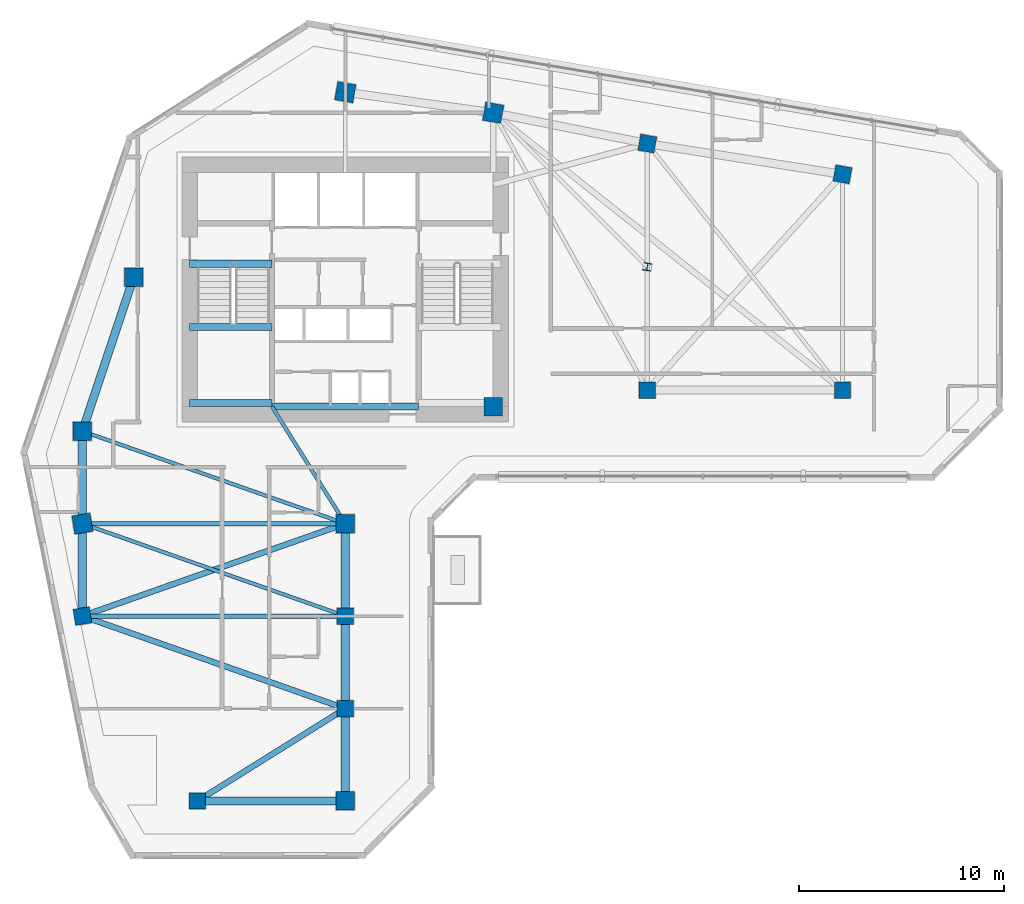
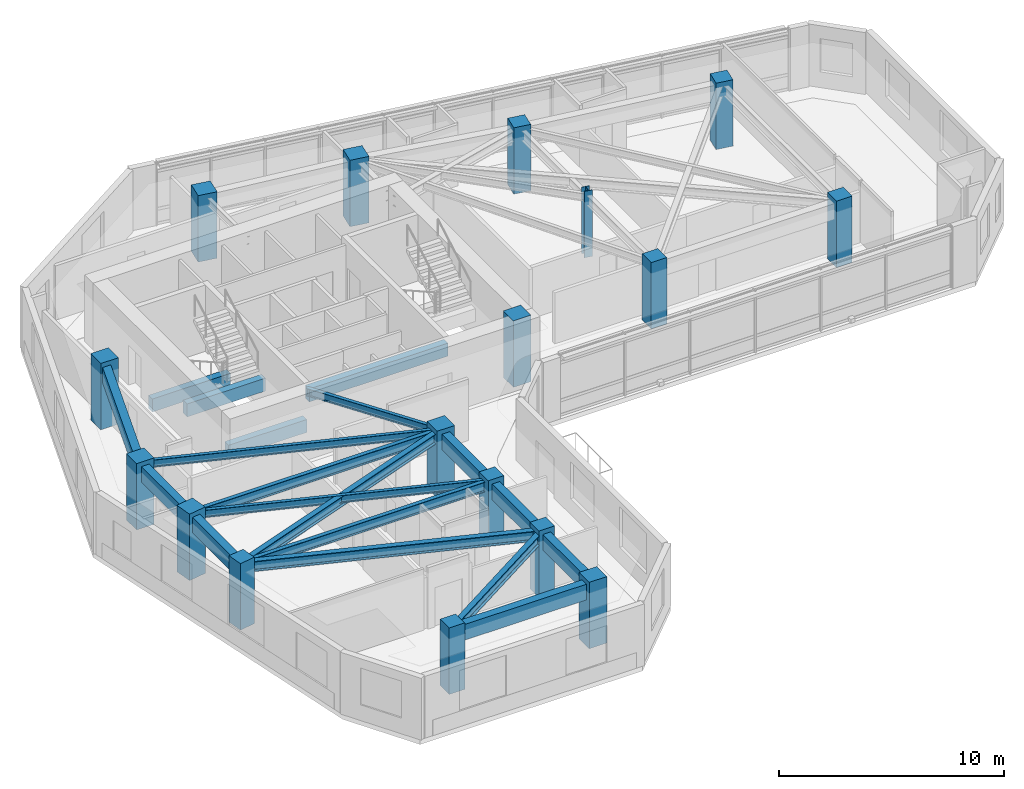
# One storey, part 1 of 10: 19 beams, 17 columns.
"""IFC4 building model written with IfcOpenShell, lengths in metres."""

import ifcopenshell
import ifcopenshell.guid

model = None  # the IFC model being written
_history = None  # IfcOwnerHistory: only IFC2X3 demands one
_inside = {}  # id of a spatial element -> (the spatial element, [elements in it])
_under = {}  # id of a project, library or spatial element -> (it, [spatial elements below it])
_declared = {}  # id of a project -> (the project, [libraries it declares])
_typed = {}  # id of a type object -> (the type object, [elements of that type])
_made_of = {}  # id of a material, layer set ... -> (it, [elements and type objects made of it])


def new_model(schema):
    """Start an empty IFC model of exactly this schema.

    Asked for "IFC4X3", IfcOpenShell would pick the latest addendum, in which some entities
    have other attributes; the version numbers below select the first issue.
    IFC2X3 requires an IfcOwnerHistory on every rooted entity: one is made here for all.
    """
    global model, _history
    if schema == "IFC4X3":
        model = ifcopenshell.file(schema_version=(4, 3, 0, 0))
    else:
        model = ifcopenshell.file(schema=schema)
    _inside.clear()
    _under.clear()
    _declared.clear()
    _typed.clear()
    _made_of.clear()
    _history = None
    if model.schema == "IFC2X3":
        org = make("IfcOrganization", Name="unknown")
        user = make(
            "IfcPersonAndOrganization",
            ThePerson=make("IfcPerson", FamilyName="unknown"),
            TheOrganization=org,
        )
        app = make(
            "IfcApplication",
            ApplicationDeveloper=org,
            Version="unknown",
            ApplicationFullName="unknown",
            ApplicationIdentifier="unknown",
        )
        _history = make(
            "IfcOwnerHistory",
            OwningUser=user,
            OwningApplication=app,
            ChangeAction="ADDED",
            CreationDate=0,
        )
    return model


def make(cls, **values):
    """One entity of the class cls with the attributes given. An attribute that is None is left unset."""
    return model.create_entity(
        cls, **{name: value for name, value in values.items() if value is not None}
    )


def rooted(cls, **values):
    """An entity with a GlobalId (a new one), such as an element, a storey or a relation."""
    return make(cls, GlobalId=ifcopenshell.guid.new(), OwnerHistory=_history, **values)


def si_unit(unit_type, name, prefix=None):
    """IfcSIUnit, for example si_unit("LENGTHUNIT", "METRE", prefix="MILLI")."""
    return make("IfcSIUnit", UnitType=unit_type, Prefix=prefix, Name=name)


def assignment(units):
    """IfcUnitAssignment: the units of a project."""
    return None if units is None else make("IfcUnitAssignment", Units=units)


def point(xyz):
    """IfcCartesianPoint."""
    return None if xyz is None else make("IfcCartesianPoint", Coordinates=xyz)


def direction(xyz):
    """IfcDirection."""
    return None if xyz is None else make("IfcDirection", DirectionRatios=xyz)


def frame(location, z_axis=None, x_axis=None):
    """IfcAxis2Placement3D, a coordinate frame: its origin and axes. An axis left out is left unset."""
    return make(
        "IfcAxis2Placement3D",
        Location=point(location),
        Axis=direction(z_axis),
        RefDirection=direction(x_axis),
    )


def frame_2d(location, x_axis=None):
    """IfcAxis2Placement2D, a coordinate frame in the plane: its origin and x axis."""
    return make(
        "IfcAxis2Placement2D", Location=point(location), RefDirection=direction(x_axis)
    )


def origin():
    """The frame at (0, 0, 0) with its axes left unset."""
    return frame((0.0, 0.0, 0.0))


def origin_2d():
    """The frame at (0, 0) in the plane with its x axis left unset."""
    return frame_2d((0.0, 0.0))


def place(relative_to, where):
    """IfcLocalPlacement: puts the frame where relative to a parent placement (None: the world)."""
    return make(
        "IfcLocalPlacement", PlacementRelTo=relative_to, RelativePlacement=where
    )


def context(
    kind, dimensions, precision=None, world=None, true_north=None, identifier=None
):
    """IfcGeometricRepresentationContext, for example the 3D "Model" context."""
    return make(
        "IfcGeometricRepresentationContext",
        ContextIdentifier=identifier,
        ContextType=kind,
        CoordinateSpaceDimension=dimensions,
        Precision=precision,
        WorldCoordinateSystem=world,
        TrueNorth=true_north,
    )


def subcontext(parent, identifier, kind, view, scale=None):
    """IfcGeometricRepresentationSubContext, for example "Body" below "Model"."""
    return make(
        "IfcGeometricRepresentationSubContext",
        ContextIdentifier=identifier,
        ContextType=kind,
        ParentContext=parent,
        TargetScale=scale,
        TargetView=view,
    )


def project(units=None, contexts=None):
    """IfcProject with its units and contexts."""
    return rooted(
        "IfcProject",
        Name="project",
        RepresentationContexts=contexts,
        UnitsInContext=assignment(units),
    )


def spatial(cls, under=None, at=None, **own):
    """A site, building, storey or space (cls), placed at a placement, below another one or the project."""
    s = rooted(cls, ObjectPlacement=at, **own)
    if under is not None:
        _under.setdefault(under.id(), (under, []))[1].append(s)
    return s


def profile(cls, at=None, kind="AREA", **sizes):
    """A parametric profile (cls). Its sizes go by their IFC names, for example OverallWidth=200.0."""
    return make(cls, ProfileType=kind, Position=at, **sizes)


def rectangle(**sizes):
    """IfcRectangleProfileDef."""
    return profile("IfcRectangleProfileDef", **sizes)


def i_section(**sizes):
    """IfcIShapeProfileDef."""
    return profile("IfcIShapeProfileDef", **sizes)


def extrude(swept, where, along, depth):
    """IfcExtrudedAreaSolid: the profile swept, set in the frame where, extruded along a direction by depth."""
    return make(
        "IfcExtrudedAreaSolid",
        SweptArea=swept,
        Position=where,
        ExtrudedDirection=direction(along),
        Depth=depth,
    )


def shape(context_of_items, identifier, shape_type, items):
    """IfcShapeRepresentation: the items that make up one representation, for example the "Body"."""
    return make(
        "IfcShapeRepresentation",
        ContextOfItems=context_of_items,
        RepresentationIdentifier=identifier,
        RepresentationType=shape_type,
        Items=items,
    )


def source(mapping_origin, context_of_items, identifier, shape_type, items):
    """IfcRepresentationMap: a shape defined once, which mapped items show again and again."""
    return make(
        "IfcRepresentationMap",
        MappingOrigin=mapping_origin,
        MappedRepresentation=shape(context_of_items, identifier, shape_type, items),
    )


def transform(
    local_origin,
    x_axis=None,
    y_axis=None,
    z_axis=None,
    scale=None,
    scale2=None,
    scale3=None,
    uniform=True,
):
    """IfcCartesianTransformationOperator3D, or its non-uniform kind. x_axis, y_axis, z_axis: its Axis1, 2, 3."""
    if uniform:
        return make(
            "IfcCartesianTransformationOperator3D",
            Axis1=direction(x_axis),
            Axis2=direction(y_axis),
            LocalOrigin=point(local_origin),
            Scale=scale,
            Axis3=direction(z_axis),
        )
    return make(
        "IfcCartesianTransformationOperator3DnonUniform",
        Axis1=direction(x_axis),
        Axis2=direction(y_axis),
        LocalOrigin=point(local_origin),
        Scale=scale,
        Axis3=direction(z_axis),
        Scale2=scale2,
        Scale3=scale3,
    )


def mapped(mapping_source, mapping_target):
    """IfcMappedItem: shows the shape of a source again, moved by a transform."""
    return make(
        "IfcMappedItem", MappingSource=mapping_source, MappingTarget=mapping_target
    )


def material(Name=None, Category=None):
    """IfcMaterial."""
    return make("IfcMaterial", Name=Name, Category=Category)


def material_profile(
    of_material, cross_section, Name=None, Category=None, Priority=None
):
    """IfcMaterialProfile: a cross section and its material."""
    return make(
        "IfcMaterialProfile",
        Name=Name,
        Material=of_material,
        Profile=cross_section,
        Priority=Priority,
        Category=Category,
    )


def profile_set(profiles, Name=None, composite=None):
    """IfcMaterialProfileSet."""
    return make(
        "IfcMaterialProfileSet",
        Name=Name,
        MaterialProfiles=profiles,
        CompositeProfile=composite,
    )


def made_of(thing, what):
    """Note that an element or type object is made of a material, layer set ...; save() writes the relation."""
    if what is not None:
        _made_of.setdefault(what.id(), (what, []))[1].append(thing)
    return thing


def type_object(cls, material=None, **own):
    """A type object (cls), such as IfcWallType, which elements share."""
    return made_of(rooted(cls, **own), material)


def element(
    cls,
    number,
    at=None,
    inside=None,
    cuts=None,
    type_object=None,
    material=None,
    context=None,
    identifier="Body",
    shape_type=None,
    held_by="IfcProductDefinitionShape",
    body=None,
    shapes=None,
    **own,
):
    """One element of the class cls, such as IfcWall. Its Tag is "e" and its number.

    at: its placement. inside: the storey or other place that contains it. cuts: it is an
    opening in that element (IfcRelVoidsElement). A single representation is given by context,
    identifier, shape_type and body (its items); several are given by shapes. held_by: the class
    of the entity that holds the representations. save() writes the other relations.
    """
    e = rooted(cls, Tag="e%d" % number, ObjectPlacement=at, **own)
    if body is not None:
        shapes = [shape(context, identifier, shape_type, body)]
    if shapes is not None:
        e.Representation = make(held_by, Representations=shapes)
    if inside is not None:
        _inside.setdefault(inside.id(), (inside, []))[1].append(e)
    if cuts is not None:
        rooted(
            "IfcRelVoidsElement", RelatingBuildingElement=cuts, RelatedOpeningElement=e
        )
    if type_object is not None:
        _typed.setdefault(type_object.id(), (type_object, []))[1].append(e)
    return made_of(e, material)


def aggregate(whole, parts):
    """IfcRelAggregates: a whole, such as a stair, and the parts it consists of."""
    return rooted("IfcRelAggregates", RelatingObject=whole, RelatedObjects=parts)


def save(model, path):
    """Write the relations noted so far, then the file.

    IfcRelAggregates (storeys below a building ...), IfcRelContainedInSpatialStructure (elements
    in a storey), IfcRelDefinesByType, IfcRelAssociatesMaterial and IfcRelDeclares: one each for
    every whole, place, type object, material and project.
    """
    for whole, parts in _under.values():
        aggregate(whole, parts)
    for where, things in _inside.values():
        rooted(
            "IfcRelContainedInSpatialStructure",
            RelatedElements=things,
            RelatingStructure=where,
        )
    for kind, things in _typed.values():
        rooted("IfcRelDefinesByType", RelatedObjects=things, RelatingType=kind)
    for what, things in _made_of.values():
        rooted("IfcRelAssociatesMaterial", RelatedObjects=things, RelatingMaterial=what)
    for by, libraries in _declared.values():
        rooted("IfcRelDeclares", RelatingContext=by, RelatedDefinitions=libraries)
    model.write(path)


model = new_model("IFC4")

# Units and contexts
model_context = context("Model", 3, precision=1e-05, world=origin(), true_north=direction((0.0, 1.0)))
body_context = subcontext(model_context, "Body", "Model", "MODEL_VIEW")
ifc_project = project(units=[si_unit("LENGTHUNIT", "METRE"), si_unit("AREAUNIT", "SQUARE_METRE"), si_unit("VOLUMEUNIT", "CUBIC_METRE"), si_unit("PLANEANGLEUNIT", "RADIAN"), si_unit("MASSUNIT", "GRAM", prefix="KILO")], contexts=[model_context])

# Site, building, storey
site_placement = place(None, origin())
site = spatial("IfcSite", under=ifc_project, at=site_placement, CompositionType="ELEMENT")
building_placement = place(site_placement, origin())
building = spatial("IfcBuilding", under=site, at=building_placement, Name="Calvemar Wedge Station Tower", CompositionType="ELEMENT")
storey_placement = place(building_placement, frame((0.0, 0.0, 146.60009765625)))
storey = spatial("IfcBuildingStorey", under=building, at=storey_placement, Name="L36", CompositionType="ELEMENT", Elevation=146.60009765625)

# Columns
ifc_material_1 = material(Name="Concrete C60", Category="concrete")
ifc_material_profile_1 = material_profile(ifc_material_1, rectangle(XDim=0.89990234375, YDim=0.89990234375, at=origin_2d()), Name="RC900x900")
ifc_profile_set_1 = profile_set([ifc_material_profile_1], Name="Concrete C60")
column_type_1 = type_object("IfcColumnType", Name="COL-C5-900", PredefinedType="COLUMN", material=ifc_profile_set_1)
shared_shape_1 = source(origin(), body_context, "Body", "SweptSolid", [
    extrude(rectangle(XDim=0.89990234375, YDim=0.89990234375, at=origin_2d()), origin(), (0.0, 0.0, 1.0), 3.599853515625),
])
for number, where, z_axis, x_axis, name in (
    (1, (11.0, 33.0, 0.0), (0.0, 0.0, 1.0), (1.0, 0.0, 0.0), "Storey L36 Column T-NW1"),
    (2, (13.5, 40.5, 0.0), (0.0, 0.0, 1.0), (1.0, 0.0, 0.0), "Storey L36 Column T-NW2"),
    (3, (23.800048828125, 49.5, 0.0), (0.0, 0.0, 1.0), (0.984195607969, -0.17708474032, 0.0), "Storey L36 Column T-N1"),
    (4, (31.0, 48.5, 0.0), (0.0, 0.0, 1.0), (0.984195607969, -0.17708474032, 0.0), "Storey L36 Column T-N2"),
    (5, (31.0, 34.199951171875, 0.0), (0.0, 0.0, 1.0), (1.0, 0.0, 0.0), "Storey L36 Column T-NL1"),
    (6, (11.0, 28.5, 0.0), (0.0, 0.0, 1.0), (0.158158067254, -0.987413806751, 0.0), "Storey L36 Column T-SW1"),
    (7, (23.800048828125, 28.5, 0.0), (0.0, 0.0, 1.0), (1.0, 0.0, 0.0), "Storey L36 Column T-SE1"),
    (8, (23.800048828125, 15.0, 0.0), (0.0, 0.0, 1.0), (1.0, 0.0, 0.0), "Storey L36 Column T-SE4"),
):
    element("IfcColumn", number, at=place(storey_placement, frame(where, z_axis=z_axis, x_axis=x_axis)), inside=storey, type_object=column_type_1, Name=name, PredefinedType="COLUMN", context=body_context, shape_type="MappedRepresentation", body=[
        mapped(shared_shape_1, transform((0.0, 0.0, 0.0), scale=1.0)),
    ])
ifc_material_2 = material(Name="Concrete C50", Category="concrete")
ifc_material_profile_2 = material_profile(ifc_material_2, rectangle(XDim=0.800048828125, YDim=0.800048828125, at=origin_2d()), Name="RC800x800")
ifc_profile_set_2 = profile_set([ifc_material_profile_2], Name="Concrete C50")
column_type_2 = type_object("IfcColumnType", Name="COL-C6-800", PredefinedType="COLUMN", material=ifc_profile_set_2)
shared_shape_2 = source(origin(), body_context, "Body", "SweptSolid", [
    extrude(rectangle(XDim=0.800048828125, YDim=0.800048828125, at=origin_2d()), origin(), (0.0, 0.0, 1.0), 3.599853515625),
])
for number, where, z_axis, x_axis, name in (
    (9, (38.5, 47.0, 0.0), (0.0, 0.0, 1.0), (0.984195607969, -0.17708474032, 0.0), "Storey L36 Column T-NU3"),
    (10, (48.0, 45.5, 0.0), (0.0, 0.0, 1.0), (0.984195607969, -0.17708474032, 0.0), "Storey L36 Column T-NU4"),
    (11, (38.5, 35.0, 0.0), (0.0, 0.0, 1.0), (1.0, 0.0, 0.0), "Storey L36 Column T-NL2"),
    (12, (48.0, 35.0, 0.0), (0.0, 0.0, 1.0), (1.0, 0.0, 0.0), "Storey L36 Column T-NL3"),
    (13, (11.0, 24.0, 0.0), (0.0, 0.0, 1.0), (0.158158067254, -0.987413806751, 0.0), "Storey L36 Column T-SW2"),
    (14, (23.800048828125, 24.0, 0.0), (0.0, 0.0, 1.0), (1.0, 0.0, 0.0), "Storey L36 Column T-SE2"),
    (15, (23.800048828125, 19.5, 0.0), (0.0, 0.0, 1.0), (1.0, 0.0, 0.0), "Storey L36 Column T-SE3"),
    (16, (16.60009765625, 15.0, 0.0), (0.0, 0.0, 1.0), (1.0, 0.0, 0.0), "Storey L36 Column T-SM1"),
):
    element("IfcColumn", number, at=place(storey_placement, frame(where, z_axis=z_axis, x_axis=x_axis)), inside=storey, type_object=column_type_2, Name=name, PredefinedType="COLUMN", context=body_context, shape_type="MappedRepresentation", body=[
        mapped(shared_shape_2, transform((0.0, 0.0, 0.0), scale=1.0)),
    ])
ifc_material_3 = material(Name="Structural steel ASTM A572 Grade 50", Category="steel")
ifc_material_profile_3 = material_profile(ifc_material_3, i_section(OverallWidth=0.3740234375, OverallDepth=0.3720703125, WebThickness=0.016357421875, FlangeThickness=0.026123046875, FilletRadius=0.014892578125, at=origin_2d()), Name="W360x196")
ifc_profile_set_3 = profile_set([ifc_material_profile_3], Name="Structural steel ASTM A572 Grade 50")
column_type_3 = type_object("IfcColumnType", Name="COL-STL-W360", PredefinedType="COLUMN", material=ifc_profile_set_3)
shared_shape_3 = source(origin(), body_context, "Body", "SweptSolid", [
    extrude(i_section(OverallWidth=0.3740234375, OverallDepth=0.3720703125, WebThickness=0.016357421875, FlangeThickness=0.026123046875, FilletRadius=0.014892578125, at=origin_2d()), origin(), (0.0, 0.0, 1.0), 3.599853515625),
])
column_placement = place(storey_placement, frame((38.5, 41.0, 0.0), z_axis=(0.0, 0.0, 1.0), x_axis=(0.984195607969, -0.17708474032, 0.0)))
element("IfcColumn", 17, at=column_placement, inside=storey, type_object=column_type_3, Name="Storey L36 Column T-NTIP-B", PredefinedType="COLUMN", context=body_context, shape_type="MappedRepresentation", body=[
    mapped(shared_shape_3, transform((0.0, 0.0, 0.0), scale=1.0)),
])

# Beams
ifc_material_profile_4 = material_profile(ifc_material_1, rectangle(XDim=0.39990234375, YDim=0.85009765625, at=origin_2d()), Name="RC400x850")
ifc_profile_set_4 = profile_set([ifc_material_profile_4], Name="Concrete C60")
beam_type_1 = type_object("IfcBeamType", Name="BM-SP1-850", PredefinedType="SPANDREL", material=ifc_profile_set_4)
shared_shape_4 = source(origin(), body_context, "Body", "SweptSolid", [
    extrude(rectangle(XDim=0.39990234375, YDim=0.85009765625, at=origin_2d()), origin(), (0.0, 0.0, 1.0), 7.90576171875),
])
beam_1_placement = place(storey_placement, frame((11.0, 33.0, 2.9248046875), z_axis=(0.316227766017, 0.948683298051, 0.0), x_axis=(-0.948683298051, 0.316227766017, 0.0)))
element("IfcBeam", 18, at=beam_1_placement, inside=storey, type_object=beam_type_1, Name="Storey L36 Spandrel T-NW1-T-NW2", PredefinedType="SPANDREL", context=body_context, shape_type="MappedRepresentation", body=[
    mapped(shared_shape_4, transform((0.0, 0.0, 0.0), scale=1.0)),
])
shared_shape_5 = source(origin(), body_context, "Body", "SweptSolid", [
    extrude(rectangle(XDim=0.39990234375, YDim=0.85009765625, at=origin_2d()), origin(), (0.0, 0.0, 1.0), 4.5),
])
for number, where, z_axis, x_axis, name in (
    (19, (11.0, 33.0, 2.9248046875), (0.0, -1.0, 0.0), (1.0, 0.0, 0.0), "Storey L36 Spandrel T-NW1-T-SW1"),
    (20, (11.0, 28.5, 2.9248046875), (0.0, -1.0, 0.0), (1.0, 0.0, 0.0), "Storey L36 Spandrel T-SW1-T-SW2"),
    (21, (23.800048828125, 28.5, 2.9248046875), (0.0, -1.0, 0.0), (1.0, 0.0, 0.0), "Storey L36 Spandrel T-SE1-T-SE2"),
    (22, (23.800048828125, 24.0, 2.9248046875), (0.0, -1.0, 0.0), (1.0, 0.0, 0.0), "Storey L36 Spandrel T-SE2-T-SE3"),
    (23, (23.800048828125, 19.5, 2.9248046875), (0.0, -1.0, 0.0), (1.0, 0.0, 0.0), "Storey L36 Spandrel T-SE3-T-SE4"),
):
    element("IfcBeam", number, at=place(storey_placement, frame(where, z_axis=z_axis, x_axis=x_axis)), inside=storey, type_object=beam_type_1, Name=name, PredefinedType="SPANDREL", context=body_context, shape_type="MappedRepresentation", body=[
        mapped(shared_shape_5, transform((0.0, 0.0, 0.0), scale=1.0)),
    ])
shared_shape_6 = source(origin(), body_context, "Body", "SweptSolid", [
    extrude(rectangle(XDim=0.39990234375, YDim=0.85009765625, at=origin_2d()), origin(), (0.0, 0.0, 1.0), 7.199951171875),
])
beam_2_placement = place(storey_placement, frame((16.60009765625, 15.0, 2.9248046875), z_axis=(1.0, 0.0, 0.0), x_axis=(0.0, 1.0, 0.0)))
element("IfcBeam", 24, at=beam_2_placement, inside=storey, type_object=beam_type_1, Name="Storey L36 Spandrel T-SM1-T-SE4", PredefinedType="SPANDREL", context=body_context, shape_type="MappedRepresentation", body=[
    mapped(shared_shape_6, transform((0.0, 0.0, 0.0), scale=1.0)),
])
ifc_material_profile_5 = material_profile(ifc_material_3, i_section(OverallWidth=0.177978515625, OverallDepth=0.406982421875, WebThickness=0.0078125, FlangeThickness=0.0126953125, FilletRadius=0.010009765625, at=origin_2d()), Name="W410x60")
ifc_profile_set_5 = profile_set([ifc_material_profile_5], Name="Structural steel ASTM A572 Grade 50")
beam_type_2 = type_object("IfcBeamType", Name="BM-J3-W410", PredefinedType="JOIST", material=ifc_profile_set_5)
shared_shape_7 = source(origin(), body_context, "Body", "SweptSolid", [
    extrude(i_section(OverallWidth=0.177978515625, OverallDepth=0.406982421875, WebThickness=0.0078125, FlangeThickness=0.0126953125, FilletRadius=0.010009765625, at=origin_2d()), origin(), (0.0, 0.0, 1.0), 13.568115234375),
])
for number, where, z_axis, x_axis, name in (
    (25, (11.0, 33.0, 3.146484375), (0.943398221169, -0.331662171939, 0.0), (0.331662171939, 0.943398221169, 0.0), "Storey L36 Floor Beam T-NW1-T-SE1"),
    (26, (11.0, 28.5, 3.146484375), (0.943398221169, -0.331662171939, 0.0), (0.331662171939, 0.943398221169, 0.0), "Storey L36 Floor Beam T-SW1-T-SE2"),
):
    element("IfcBeam", number, at=place(storey_placement, frame(where, z_axis=z_axis, x_axis=x_axis)), inside=storey, type_object=beam_type_2, Name=name, PredefinedType="JOIST", context=body_context, shape_type="MappedRepresentation", body=[
        mapped(shared_shape_7, transform((0.0, 0.0, 0.0), scale=1.0)),
    ])
ifc_material_profile_6 = material_profile(ifc_material_3, i_section(OverallWidth=0.279052734375, OverallDepth=0.553955078125, WebThickness=0.017578125, FlangeThickness=0.029541015625, FilletRadius=0.014892578125, at=origin_2d()), Name="W530x196")
ifc_profile_set_6 = profile_set([ifc_material_profile_6], Name="Structural steel ASTM A572 Grade 50")
beam_type_3 = type_object("IfcBeamType", Name="BM-SB3-W530H", PredefinedType="BEAM", material=ifc_profile_set_6)
shared_shape_8 = source(origin(), body_context, "Body", "SweptSolid", [
    extrude(i_section(OverallWidth=0.279052734375, OverallDepth=0.553955078125, WebThickness=0.017578125, FlangeThickness=0.029541015625, FilletRadius=0.014892578125, at=origin_2d()), origin(), (0.0, 0.0, 1.0), 13.568115234375),
])
for number, where, z_axis, x_axis, name in (
    (27, (23.800048828125, 28.5, 3.072998046875), (-0.943398221169, -0.331662171939, 0.0), (0.331662171939, -0.943398221169, 0.0), "Storey L36 Floor Beam T-SE1-T-SW2"),
    (28, (11.0, 24.0, 3.072998046875), (0.943398221169, -0.331662171939, 0.0), (0.331662171939, 0.943398221169, 0.0), "Storey L36 Floor Beam T-SW2-T-SE3"),
):
    element("IfcBeam", number, at=place(storey_placement, frame(where, z_axis=z_axis, x_axis=x_axis)), inside=storey, type_object=beam_type_3, Name=name, PredefinedType="BEAM", context=body_context, shape_type="MappedRepresentation", body=[
        mapped(shared_shape_8, transform((0.0, 0.0, 0.0), scale=1.0)),
    ])
shared_shape_9 = source(origin(), body_context, "Body", "SweptSolid", [
    extrude(i_section(OverallWidth=0.279052734375, OverallDepth=0.553955078125, WebThickness=0.017578125, FlangeThickness=0.029541015625, FilletRadius=0.014892578125, at=origin_2d()), origin(), (0.0, 0.0, 1.0), 8.490478515625),
])
beam_3_placement = place(storey_placement, frame((23.800048828125, 19.5, 3.072998046875), z_axis=(-0.847996688584, -0.530001524668, 0.0), x_axis=(0.530001524668, -0.847996688584, 0.0)))
element("IfcBeam", 29, at=beam_3_placement, inside=storey, type_object=beam_type_3, Name="Storey L36 Floor Beam T-SE3-T-SM1", PredefinedType="BEAM", context=body_context, shape_type="MappedRepresentation", body=[
    mapped(shared_shape_9, transform((0.0, 0.0, 0.0), scale=1.0)),
])
shared_shape_10 = source(origin(), body_context, "Body", "SweptSolid", [
    extrude(i_section(OverallWidth=0.177978515625, OverallDepth=0.406982421875, WebThickness=0.0078125, FlangeThickness=0.0126953125, FilletRadius=0.010009765625, at=origin_2d()), origin(), (0.0, 0.0, 1.0), 6.7255859375),
])
beam_4_placement = place(storey_placement, frame((20.22998046875, 34.199951171875, 3.146484375), z_axis=(0.530811158438, -0.847490126242, 0.0), x_axis=(0.847490126242, 0.530811158438, 0.0)))
element("IfcBeam", 30, at=beam_4_placement, inside=storey, type_object=beam_type_2, Name="Storey L36 Core-to-Column Joist CJ-S2", PredefinedType="JOIST", context=body_context, shape_type="MappedRepresentation", body=[
    mapped(shared_shape_10, transform((0.0, 0.0, 0.0), scale=1.0)),
])
ifc_material_4 = material(Name="Concrete C70", Category="concrete")
ifc_material_profile_7 = material_profile(ifc_material_4, rectangle(XDim=0.35009765625, YDim=0.699951171875, at=origin_2d()), Name="RC350x700")
ifc_profile_set_7 = profile_set([ifc_material_profile_7], Name="Concrete C70")
beam_type_4 = type_object("IfcBeamType", Name="BM-LN1-700", PredefinedType="LINTEL", material=ifc_profile_set_7)
shared_shape_11 = source(origin(), body_context, "Body", "SweptSolid", [
    extrude(rectangle(XDim=0.35009765625, YDim=0.699951171875, at=origin_2d()), origin(), (0.0, 0.0, 1.0), 7.10009765625),
])
beam_5_placement = place(storey_placement, frame((20.25, 34.199951171875, 3.0), z_axis=(1.0, 0.0, 0.0), x_axis=(0.0, 1.0, 0.0)))
element("IfcBeam", 31, at=beam_5_placement, inside=storey, type_object=beam_type_4, Name="Storey L36 Core Coupling Lintel South", PredefinedType="LINTEL", context=body_context, shape_type="MappedRepresentation", body=[
    mapped(shared_shape_11, transform((0.0, 0.0, 0.0), scale=1.0)),
])
shared_shape_12 = source(origin(), body_context, "Body", "SweptSolid", [
    extrude(rectangle(XDim=0.35009765625, YDim=0.699951171875, at=origin_2d()), origin(), (0.0, 0.0, 1.0), 4.0048828125),
])
for number, where, z_axis, x_axis, name in (
    (32, (16.22509765625, 41.14990234375, -0.35009765625), (1.0, 0.0, 0.0), (0.0, 1.0, 0.0), "Storey L36 Stair ST-C1 Landing Trimmer Beam"),
    (33, (16.22509765625, 34.3798828125, 1.25), (1.0, 0.0, 0.0), (0.0, 1.0, 0.0), "Storey L36 Stair ST-C1 Half-Landing Beam 1A"),
    (34, (16.22509765625, 38.070068359375, 1.25), (1.0, 0.0, 0.0), (0.0, 1.0, 0.0), "Storey L36 Stair ST-C1 Half-Landing Beam 1B"),
):
    element("IfcBeam", number, at=place(storey_placement, frame(where, z_axis=z_axis, x_axis=x_axis)), inside=storey, type_object=beam_type_4, Name=name, PredefinedType="LINTEL", context=body_context, shape_type="MappedRepresentation", body=[
        mapped(shared_shape_12, transform((0.0, 0.0, 0.0), scale=1.0)),
    ])
ifc_material_profile_8 = material_profile(ifc_material_3, i_section(OverallWidth=0.2109375, OverallDepth=0.5390625, WebThickness=0.01171875, FlangeThickness=0.018798828125, FilletRadius=0.012939453125, at=origin_2d()), Name="W530x109")
ifc_profile_set_8 = profile_set([ifc_material_profile_8], Name="Structural steel ASTM A572 Grade 50")
beam_type_5 = type_object("IfcBeamType", Name="BM-SB4-W530", PredefinedType="BEAM", material=ifc_profile_set_8)
shared_shape_13 = source(origin(), body_context, "Body", "SweptSolid", [
    extrude(i_section(OverallWidth=0.2109375, OverallDepth=0.5390625, WebThickness=0.01171875, FlangeThickness=0.018798828125, FilletRadius=0.012939453125, at=origin_2d()), origin(), (0.0, 0.0, 1.0), 12.800048828125),
])
for number, where, z_axis, x_axis, name in (
    (35, (11.0, 28.5, 3.080322265625), (1.0, 0.0, 0.0), (0.0, 1.0, 0.0), "Storey L36 Floor Beam T-SW1-T-SE1"),
    (36, (11.0, 24.0, 3.080322265625), (1.0, 0.0, 0.0), (0.0, 1.0, 0.0), "Storey L36 Floor Beam T-SW2-T-SE2"),
):
    element("IfcBeam", number, at=place(storey_placement, frame(where, z_axis=z_axis, x_axis=x_axis)), inside=storey, type_object=beam_type_5, Name=name, PredefinedType="BEAM", context=body_context, shape_type="MappedRepresentation", body=[
        mapped(shared_shape_13, transform((0.0, 0.0, 0.0), scale=1.0)),
    ])

save(model, "model.ifc")
